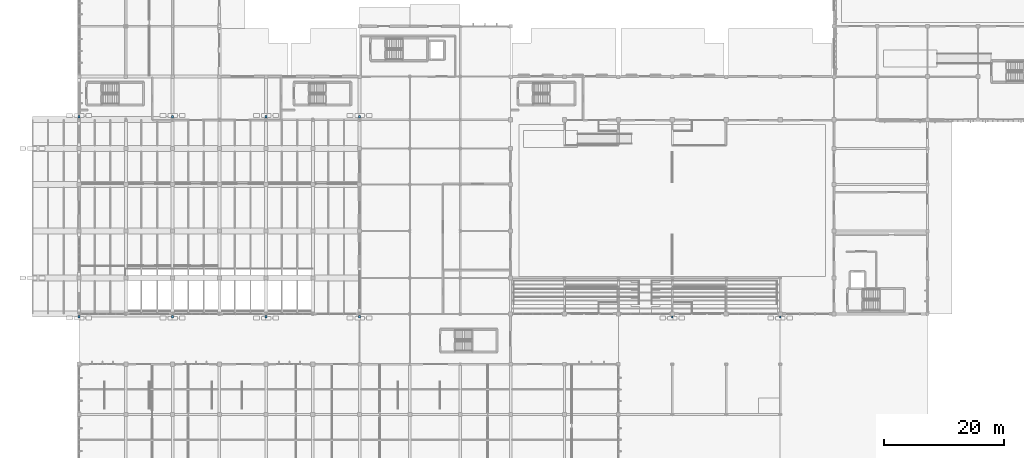
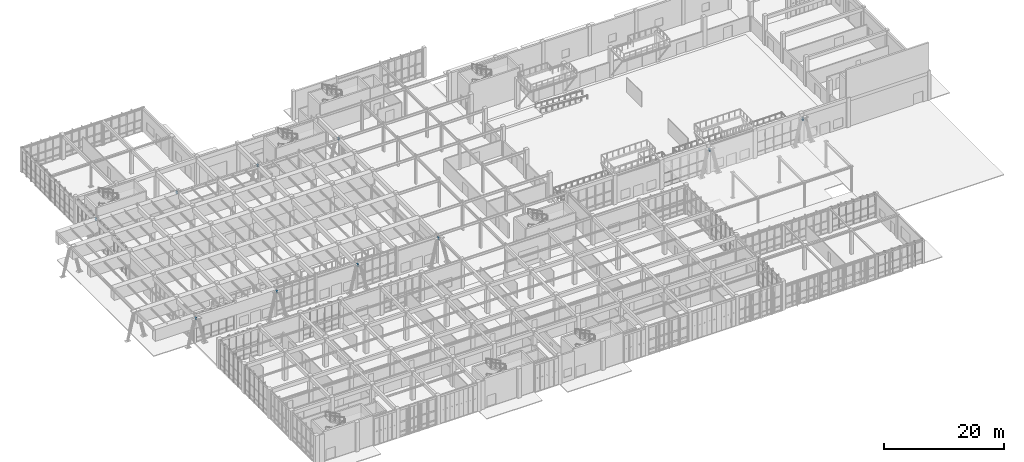
# One storey, part 56 of 110: 10 beams.
"""IFC4 building model written with IfcOpenShell, lengths in metres."""

from ifc_helpers import new_model, si_unit, direction, frame, origin, origin_2d, place, context, subcontext, project, spatial, i_section, extrude, material, material_profile, profile_set, type_object, element, save


model = new_model("IFC4")

# Units and contexts
model_context = context("Model", 3, precision=1e-05, world=origin(), true_north=direction((0.0, 1.0)))
body_context = subcontext(model_context, "Body", "Model", "MODEL_VIEW")
ifc_project = project(units=[si_unit("LENGTHUNIT", "METRE"), si_unit("AREAUNIT", "SQUARE_METRE"), si_unit("VOLUMEUNIT", "CUBIC_METRE"), si_unit("PLANEANGLEUNIT", "RADIAN"), si_unit("MASSUNIT", "GRAM", prefix="KILO")], contexts=[model_context])

# Site, building, storey
site_placement = place(None, origin())
site = spatial("IfcSite", under=ifc_project, at=site_placement, CompositionType="ELEMENT")
building_placement = place(site_placement, origin())
building = spatial("IfcBuilding", under=site, at=building_placement, Name="Tizgana Railside Sports Hall", CompositionType="ELEMENT")
storey_placement = place(building_placement, origin())
storey = spatial("IfcBuildingStorey", under=building, at=storey_placement, Name="L00", CompositionType="ELEMENT", Elevation=0.0)

# Beams
ifc_material = material(Name="Steel S355J2", Category="steel")
ifc_material_profile = material_profile(ifc_material, i_section(OverallWidth=0.300048828125, OverallDepth=0.39990234375, WebThickness=0.013427734375, FlangeThickness=0.02392578125, FilletRadius=0.027099609375, at=origin_2d()), Name="HEB 400")
ifc_profile_set = profile_set([ifc_material_profile], Name="Steel S355J2")
beam_type = type_object("IfcBeamType", Name="Steel Beam HEB 400", PredefinedType="BEAM", material=ifc_profile_set)
for number, where, z_axis, x_axis, name in (
    (1, (7.800048828125, 40.080078125, 5.25), (0.0, 1.0, 0.0), (-1.0, 0.0, 0.0), "L00 V-Apex Tie"),
    (2, (7.800048828125, 73.919921875, 5.25), (0.0, -1.0, 0.0), (1.0, 0.0, 0.0), "L00 V-Apex Tie"),
    (3, (23.39990234375, 40.080078125, 5.25), (0.0, 1.0, 0.0), (-1.0, 0.0, 0.0), "L00 V-Apex Tie"),
    (4, (23.39990234375, 73.919921875, 5.25), (0.0, -1.0, 0.0), (1.0, 0.0, 0.0), "L00 V-Apex Tie"),
    (5, (39.0, 40.080078125, 5.25), (0.0, 1.0, 0.0), (-1.0, 0.0, 0.0), "L00 V-Apex Tie"),
    (6, (39.0, 73.919921875, 5.25), (0.0, -1.0, 0.0), (1.0, 0.0, 0.0), "L00 V-Apex Tie"),
    (7, (54.60009765625, 40.080078125, 5.25), (0.0, 1.0, 0.0), (-1.0, 0.0, 0.0), "L00 V-Apex Tie"),
    (8, (54.60009765625, 73.919921875, 5.25), (0.0, -1.0, 0.0), (1.0, 0.0, 0.0), "L00 V-Apex Tie"),
):
    element("IfcBeam", number, at=place(storey_placement, frame(where, z_axis=z_axis, x_axis=x_axis)), inside=storey, type_object=beam_type, Name=name, PredefinedType="BEAM", context=body_context, shape_type="SweptSolid", body=[
        extrude(i_section(OverallWidth=0.300048828125, OverallDepth=0.39990234375, WebThickness=0.013427734375, FlangeThickness=0.02392578125, FilletRadius=0.027099609375, at=origin_2d()), origin(), (0.0, 0.0, 1.0), 0.469970703125),
    ])
for number, where, z_axis, x_axis, name in (
    (9, (106.800048828125, 40.080078125, 4.97998046875), (0.0, 1.0, 0.0), (-1.0, 0.0, 0.0), "L00 Forecourt V-Apex Tie"),
    (10, (124.800048828125, 40.080078125, 4.97998046875), (0.0, 1.0, 0.0), (-1.0, 0.0, 0.0), "L00 Forecourt V-Apex Tie"),
):
    element("IfcBeam", number, at=place(storey_placement, frame(where, z_axis=z_axis, x_axis=x_axis)), inside=storey, type_object=beam_type, Name=name, PredefinedType="BEAM", context=body_context, shape_type="SweptSolid", body=[
        extrude(i_section(OverallWidth=0.300048828125, OverallDepth=0.39990234375, WebThickness=0.013427734375, FlangeThickness=0.02392578125, FilletRadius=0.027099609375, at=origin_2d()), origin(), (0.0, 0.0, 1.0), 0.369873046875),
    ])

save(model, "model.ifc")
